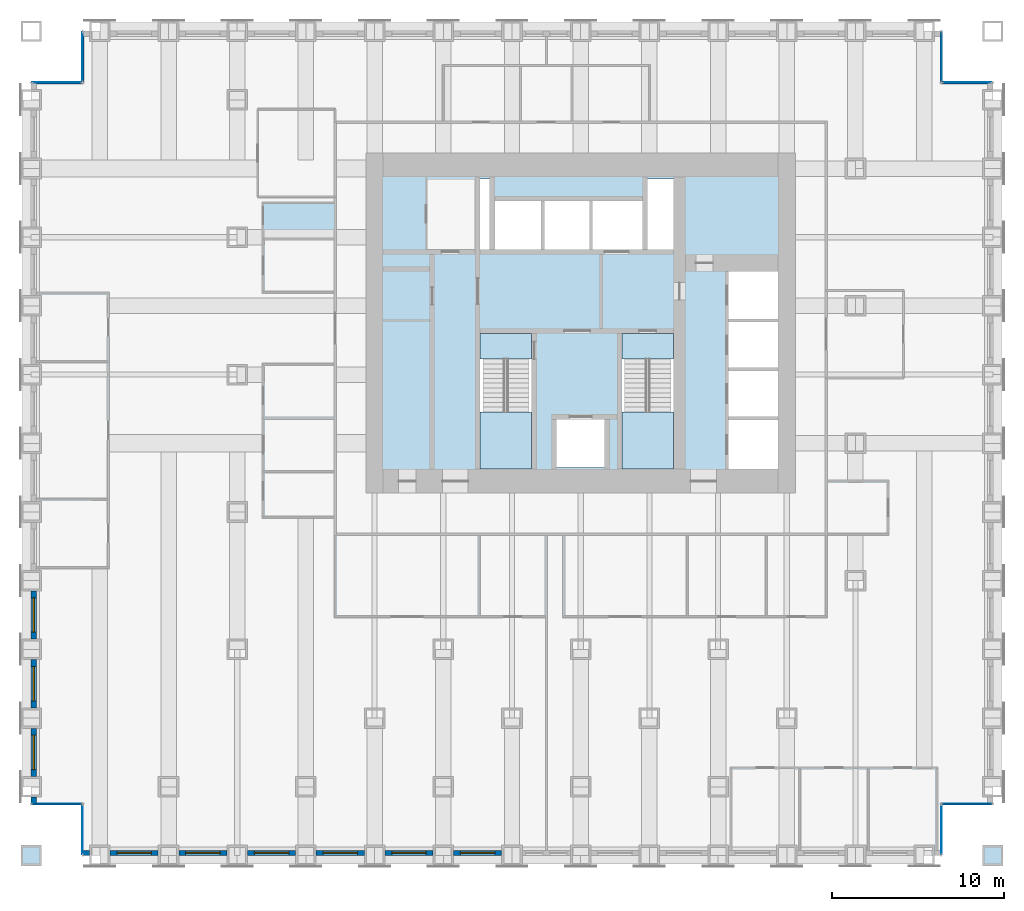
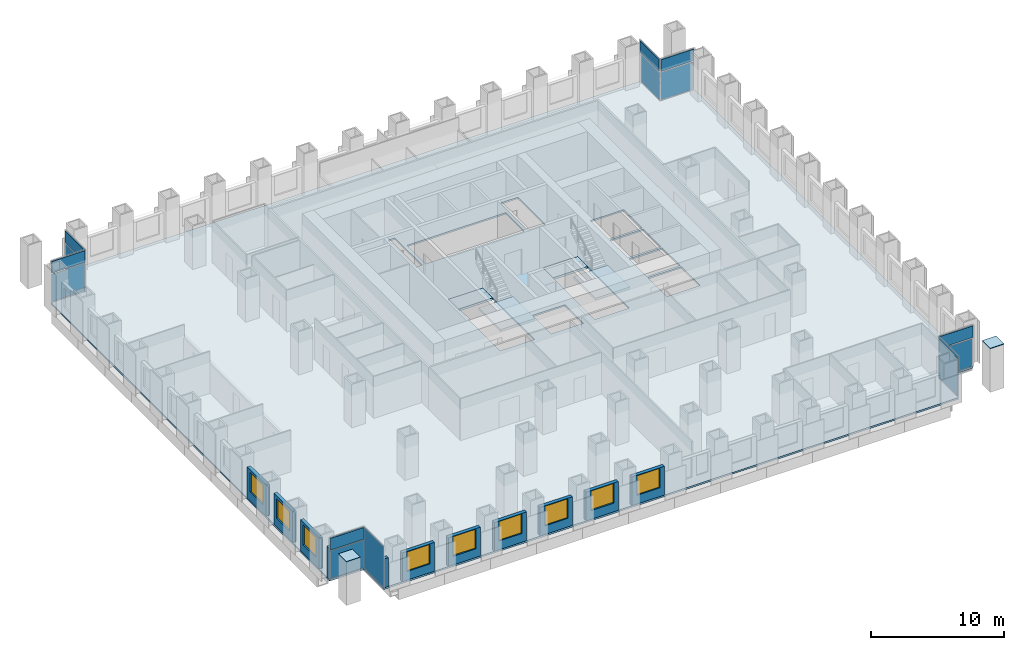
# One storey, part 8 of 15: 16 plates, 11 walls, 9 windows, 5 slabs, 9 openings, 16 elements without a shape of their own.
"""IFC4 building model written with IfcOpenShell, lengths in metres."""

from ifc_helpers import new_model, si_unit, direction, frame, frame_2d, origin, origin_2d, place, context, subcontext, project, spatial, polyline, rectangle, outline, extrude, material, layer, layer_set, type_object, element, fill, aggregate, save


model = new_model("IFC4")

# Units and contexts
model_context = context("Model", 3, precision=1e-05, world=origin(), true_north=direction((0.0, 1.0)))
body_context = subcontext(model_context, "Body", "Model", "MODEL_VIEW")
ifc_project = project(units=[si_unit("LENGTHUNIT", "METRE"), si_unit("AREAUNIT", "SQUARE_METRE"), si_unit("VOLUMEUNIT", "CUBIC_METRE"), si_unit("PLANEANGLEUNIT", "RADIAN"), si_unit("MASSUNIT", "GRAM", prefix="KILO")], contexts=[model_context])

# Site, building, storey
site_placement = place(None, origin())
site = spatial("IfcSite", under=ifc_project, at=site_placement, CompositionType="ELEMENT")
building_placement = place(site_placement, origin())
building = spatial("IfcBuilding", under=site, at=building_placement, Name="Rimbunsela Tower", CompositionType="ELEMENT")
storey_placement = place(building_placement, frame((0.0, 0.0, 39.0)))
storey = spatial("IfcBuildingStorey", under=building, at=storey_placement, Name="L09", CompositionType="ELEMENT", Elevation=39.0)

# Plates
ifc_material_1 = material(Name="Steel BJ 55 (fy 410 MPa)", Category="steel")
ifc_layer_1 = layer(ifc_material_1, 0.050048828125)
ifc_layer_set_1 = layer_set([ifc_layer_1], Name="End cap plate 50")
plate_type_1 = type_object("IfcPlateType", Name="End cap plate 50", PredefinedType="SHEET", material=ifc_layer_set_1)
for number, where, z_axis, x_axis, name in (
    (1, (-2.0, -4.0, 4.0), (0.0, 0.0, 1.0), (1.0, 0.0, 0.0), "End cap Column C6 2/A L09"),
    (2, (54.0, -4.0, 4.0), (0.0, 0.0, 1.0), (1.0, 0.0, 0.0), "End cap Column C6 16/A L09"),
):
    element("IfcPlate", number, at=place(storey_placement, frame(where, z_axis=z_axis, x_axis=x_axis)), inside=storey, type_object=plate_type_1, Name=name, PredefinedType="SHEET", context=body_context, shape_type="SweptSolid", body=[
        extrude(rectangle(XDim=1.199951171875, YDim=1.199951171875, at=origin_2d()), origin(), (0.0, 0.0, 1.0), 0.050048828125),
    ])

# Slab
ifc_material_2 = material(Name="Concrete fc' 35 MPa", Category="concrete")
ifc_layer_2 = layer(ifc_material_2, 0.14990234375)
ifc_layer_set_2 = layer_set([ifc_layer_2], Name="Floor slab 150")
slab_type_1 = type_object("IfcSlabType", Name="Floor slab 150", PredefinedType="FLOOR", material=ifc_layer_set_2)
slab_1_placement = place(storey_placement, frame((0.0, 0.0, -0.14990234375)))
element("IfcSlab", 3, at=slab_1_placement, inside=storey, type_object=slab_type_1, Name="Floor slab L09", PredefinedType="FLOOR", context=body_context, shape_type="SweptSolid", body=[
    extrude(outline(polyline([(1.0, -4.0), (51.0, -4.0), (51.0, -1.0), (54.0, -1.0), (54.0, 41.0), (51.0, 41.0), (51.0, 44.0), (1.0, 44.0), (1.0, 41.0), (-2.0, 41.0), (-2.0, -1.0), (1.0, -1.0), (1.0, -4.0)]), holes=[polyline([(27.14990234375, 18.60009765625), (27.14990234375, 26.39990234375), (24.14990234375, 26.39990234375), (24.14990234375, 18.60009765625), (27.14990234375, 18.60009765625)]), polyline([(24.699951171875, 31.300048828125), (24.699951171875, 35.39990234375), (24.14990234375, 35.39990234375), (24.14990234375, 31.300048828125), (24.699951171875, 31.300048828125)]), polyline([(25.0, 34.10009765625), (25.0, 31.300048828125), (33.60009765625, 31.300048828125), (33.60009765625, 34.10009765625), (25.0, 34.10009765625)]), polyline([(31.39990234375, 21.39990234375), (28.60009765625, 21.39990234375), (28.60009765625, 18.60009765625), (31.39990234375, 18.60009765625), (31.39990234375, 21.39990234375)]), polyline([(35.39990234375, 18.60009765625), (35.39990234375, 26.39990234375), (32.39990234375, 26.39990234375), (32.39990234375, 18.60009765625), (35.39990234375, 18.60009765625)]), polyline([(35.39990234375, 31.300048828125), (35.39990234375, 35.39990234375), (33.89990234375, 35.39990234375), (33.89990234375, 31.300048828125), (35.39990234375, 31.300048828125)]), polyline([(41.5, 21.35009765625), (38.60009765625, 21.35009765625), (38.60009765625, 18.5), (41.5, 18.5), (41.5, 21.35009765625)]), polyline([(41.5, 21.550048828125), (41.5, 24.199951171875), (38.60009765625, 24.199951171875), (38.60009765625, 21.550048828125), (41.5, 21.550048828125)]), polyline([(41.5, 27.050048828125), (38.60009765625, 27.050048828125), (38.60009765625, 24.39990234375), (41.5, 24.39990234375), (41.5, 27.050048828125)]), polyline([(41.5, 27.25), (41.5, 30.0), (38.60009765625, 30.0), (38.60009765625, 27.25), (41.5, 27.25)])]), origin(), (0.0, 0.0, 1.0), 0.14990234375),
])

# Curtain wall, plate
ifc_material_3 = material(Name="Aluminium curtain wall", Category="aluminium")
curtain_wall_type_1 = type_object("IfcCurtainWallType", Name="Corner glazing", PredefinedType="USERDEFINED", material=ifc_material_3)
curtain_wall_1_placement = place(storey_placement, origin())
curtain_wall_1 = element("IfcCurtainWall", 4, at=curtain_wall_1_placement, inside=storey, type_object=curtain_wall_type_1, Name="Corner glazing L09", ObjectType="CORNER GLAZING", PredefinedType="USERDEFINED")
ifc_material_4 = material(Name="Clear double glazing", Category="glass")
ifc_layer_3 = layer(ifc_material_4, 0.028076171875)
ifc_layer_set_3 = layer_set([ifc_layer_3], Name="Glazed panel clear")
plate_type_2 = type_object("IfcPlateType", Name="Glazed panel clear", PredefinedType="CURTAIN_PANEL", material=ifc_layer_set_3)
plate_1_placement = place(storey_placement, frame((51.0, -2.5, 0.06005859375), z_axis=(0.0, 0.0, 1.0), x_axis=(0.0, 1.0, 0.0)))
plate_1 = element("IfcPlate", 5, at=plate_1_placement, type_object=plate_type_2, Name="CW5 panel 1.1", PredefinedType="CURTAIN_PANEL", context=body_context, shape_type="SweptSolid", body=[
    extrude(rectangle(XDim=2.8798828125, YDim=0.028076171875, at=origin_2d()), origin(), (0.0, 0.0, 1.0), 3.72998046875),
])
aggregate(curtain_wall_1, [plate_1])

curtain_wall_2_placement = place(storey_placement, origin())
curtain_wall_2 = element("IfcCurtainWall", 6, at=curtain_wall_2_placement, inside=storey, type_object=curtain_wall_type_1, Name="Corner glazing L09", ObjectType="CORNER GLAZING", PredefinedType="USERDEFINED")
plate_2_placement = place(storey_placement, frame((52.5, -1.0, 0.06005859375), z_axis=(0.0, 0.0, 1.0), x_axis=(1.0, 0.0, 0.0)))
plate_2 = element("IfcPlate", 7, at=plate_2_placement, type_object=plate_type_2, Name="CW5 panel 1.1", PredefinedType="CURTAIN_PANEL", context=body_context, shape_type="SweptSolid", body=[
    extrude(rectangle(XDim=2.8798828125, YDim=0.028076171875, at=origin_2d()), origin(), (0.0, 0.0, 1.0), 2.530029296875),
])
aggregate(curtain_wall_2, [plate_2])

curtain_wall_3_placement = place(storey_placement, origin())
curtain_wall_3 = element("IfcCurtainWall", 8, at=curtain_wall_3_placement, inside=storey, type_object=curtain_wall_type_1, Name="Corner glazing L09", ObjectType="CORNER GLAZING", PredefinedType="USERDEFINED")
plate_3_placement = place(storey_placement, frame((52.5, 41.0, 0.06005859375), z_axis=(0.0, 0.0, 1.0), x_axis=(-1.0, 0.0, 0.0)))
plate_3 = element("IfcPlate", 9, at=plate_3_placement, type_object=plate_type_2, Name="CW5 panel 1.1", PredefinedType="CURTAIN_PANEL", context=body_context, shape_type="SweptSolid", body=[
    extrude(rectangle(XDim=2.8798828125, YDim=0.028076171875, at=origin_2d()), origin(), (0.0, 0.0, 1.0), 2.530029296875),
])
aggregate(curtain_wall_3, [plate_3])

curtain_wall_4_placement = place(storey_placement, origin())
curtain_wall_4 = element("IfcCurtainWall", 10, at=curtain_wall_4_placement, inside=storey, type_object=curtain_wall_type_1, Name="Corner glazing L09", ObjectType="CORNER GLAZING", PredefinedType="USERDEFINED")
plate_4_placement = place(storey_placement, frame((51.0, 42.5, 0.06005859375), z_axis=(0.0, 0.0, 1.0), x_axis=(0.0, 1.0, 0.0)))
plate_4 = element("IfcPlate", 11, at=plate_4_placement, type_object=plate_type_2, Name="CW5 panel 1.1", PredefinedType="CURTAIN_PANEL", context=body_context, shape_type="SweptSolid", body=[
    extrude(rectangle(XDim=2.8798828125, YDim=0.028076171875, at=origin_2d()), origin(), (0.0, 0.0, 1.0), 2.530029296875),
])
aggregate(curtain_wall_4, [plate_4])

curtain_wall_5_placement = place(storey_placement, origin())
curtain_wall_5 = element("IfcCurtainWall", 12, at=curtain_wall_5_placement, inside=storey, type_object=curtain_wall_type_1, Name="Corner glazing L09", ObjectType="CORNER GLAZING", PredefinedType="USERDEFINED")
plate_5_placement = place(storey_placement, frame((1.0, 42.5, 0.06005859375), z_axis=(0.0, 0.0, 1.0), x_axis=(0.0, -1.0, 0.0)))
plate_5 = element("IfcPlate", 13, at=plate_5_placement, type_object=plate_type_2, Name="CW5 panel 1.1", PredefinedType="CURTAIN_PANEL", context=body_context, shape_type="SweptSolid", body=[
    extrude(rectangle(XDim=2.8798828125, YDim=0.028076171875, at=origin_2d()), origin(), (0.0, 0.0, 1.0), 2.530029296875),
])
aggregate(curtain_wall_5, [plate_5])

curtain_wall_6_placement = place(storey_placement, origin())
curtain_wall_6 = element("IfcCurtainWall", 14, at=curtain_wall_6_placement, inside=storey, type_object=curtain_wall_type_1, Name="Corner glazing L09", ObjectType="CORNER GLAZING", PredefinedType="USERDEFINED")
plate_6_placement = place(storey_placement, frame((-0.5, 41.0, 0.06005859375), z_axis=(0.0, 0.0, 1.0), x_axis=(-1.0, 0.0, 0.0)))
plate_6 = element("IfcPlate", 15, at=plate_6_placement, type_object=plate_type_2, Name="CW5 panel 1.1", PredefinedType="CURTAIN_PANEL", context=body_context, shape_type="SweptSolid", body=[
    extrude(rectangle(XDim=2.8798828125, YDim=0.028076171875, at=origin_2d()), origin(), (0.0, 0.0, 1.0), 2.530029296875),
])
aggregate(curtain_wall_6, [plate_6])

curtain_wall_7_placement = place(storey_placement, origin())
curtain_wall_7 = element("IfcCurtainWall", 16, at=curtain_wall_7_placement, inside=storey, type_object=curtain_wall_type_1, Name="Corner glazing L09", ObjectType="CORNER GLAZING", PredefinedType="USERDEFINED")
plate_7_placement = place(storey_placement, frame((-0.5, -1.0, 0.06005859375), z_axis=(0.0, 0.0, 1.0), x_axis=(1.0, 0.0, 0.0)))
plate_7 = element("IfcPlate", 17, at=plate_7_placement, type_object=plate_type_2, Name="CW5 panel 1.1", PredefinedType="CURTAIN_PANEL", context=body_context, shape_type="SweptSolid", body=[
    extrude(rectangle(XDim=2.8798828125, YDim=0.028076171875, at=origin_2d()), origin(), (0.0, 0.0, 1.0), 2.530029296875),
])
aggregate(curtain_wall_7, [plate_7])

curtain_wall_8_placement = place(storey_placement, origin())
curtain_wall_8 = element("IfcCurtainWall", 18, at=curtain_wall_8_placement, inside=storey, type_object=curtain_wall_type_1, Name="Corner glazing L09", ObjectType="CORNER GLAZING", PredefinedType="USERDEFINED")
plate_8_placement = place(storey_placement, frame((1.0, -2.5, 0.06005859375), z_axis=(0.0, 0.0, 1.0), x_axis=(0.0, -1.0, 0.0)))
plate_8 = element("IfcPlate", 19, at=plate_8_placement, type_object=plate_type_2, Name="CW5 panel 1.1", PredefinedType="CURTAIN_PANEL", context=body_context, shape_type="SweptSolid", body=[
    extrude(rectangle(XDim=2.8798828125, YDim=0.028076171875, at=origin_2d()), origin(), (0.0, 0.0, 1.0), 3.72998046875),
])
aggregate(curtain_wall_8, [plate_8])

ifc_material_5 = material(Name="Aluminium curtain wall", Category="aluminium")
curtain_wall_type_2 = type_object("IfcCurtainWallType", Name="Spandrel wall", PredefinedType="USERDEFINED", material=ifc_material_5)
curtain_wall_9_placement = place(storey_placement, origin())
curtain_wall_9 = element("IfcCurtainWall", 20, at=curtain_wall_9_placement, inside=storey, type_object=curtain_wall_type_2, Name="Spandrel wall L09", ObjectType="SPANDREL WALL", PredefinedType="USERDEFINED")
ifc_material_6 = material(Name="Insulated aluminium spandrel panel", Category="aluminium")
ifc_layer_4 = layer(ifc_material_6, 0.10009765625)
ifc_layer_set_4 = layer_set([ifc_layer_4], Name="Insulated panel 100")
plate_type_3 = type_object("IfcPlateType", Name="Insulated panel 100", PredefinedType="CURTAIN_PANEL", material=ifc_layer_set_4)
plate_9_placement = place(storey_placement, frame((52.5, -1.0, 2.7099609375), z_axis=(0.0, 0.0, 1.0), x_axis=(1.0, 0.0, 0.0)))
plate_9 = element("IfcPlate", 21, at=plate_9_placement, type_object=plate_type_3, Name="CW7 panel 1.1", PredefinedType="CURTAIN_PANEL", context=body_context, shape_type="SweptSolid", body=[
    extrude(rectangle(XDim=2.8798828125, YDim=0.10009765625, at=origin_2d()), origin(), (0.0, 0.0, 1.0), 1.080078125),
])
aggregate(curtain_wall_9, [plate_9])

curtain_wall_10_placement = place(storey_placement, origin())
curtain_wall_10 = element("IfcCurtainWall", 22, at=curtain_wall_10_placement, inside=storey, type_object=curtain_wall_type_2, Name="Spandrel wall L09", ObjectType="SPANDREL WALL", PredefinedType="USERDEFINED")
plate_10_placement = place(storey_placement, frame((52.5, 41.0, 2.7099609375), z_axis=(0.0, 0.0, 1.0), x_axis=(-1.0, 0.0, 0.0)))
plate_10 = element("IfcPlate", 23, at=plate_10_placement, type_object=plate_type_3, Name="CW7 panel 1.1", PredefinedType="CURTAIN_PANEL", context=body_context, shape_type="SweptSolid", body=[
    extrude(rectangle(XDim=2.8798828125, YDim=0.10009765625, at=origin_2d()), origin(), (0.0, 0.0, 1.0), 1.080078125),
])
aggregate(curtain_wall_10, [plate_10])

curtain_wall_11_placement = place(storey_placement, origin())
curtain_wall_11 = element("IfcCurtainWall", 24, at=curtain_wall_11_placement, inside=storey, type_object=curtain_wall_type_2, Name="Spandrel wall L09", ObjectType="SPANDREL WALL", PredefinedType="USERDEFINED")
plate_11_placement = place(storey_placement, frame((51.0, 42.5, 2.7099609375), z_axis=(0.0, 0.0, 1.0), x_axis=(0.0, 1.0, 0.0)))
plate_11 = element("IfcPlate", 25, at=plate_11_placement, type_object=plate_type_3, Name="CW7 panel 1.1", PredefinedType="CURTAIN_PANEL", context=body_context, shape_type="SweptSolid", body=[
    extrude(rectangle(XDim=2.8798828125, YDim=0.10009765625, at=origin_2d()), origin(), (0.0, 0.0, 1.0), 1.080078125),
])
aggregate(curtain_wall_11, [plate_11])

curtain_wall_12_placement = place(storey_placement, origin())
curtain_wall_12 = element("IfcCurtainWall", 26, at=curtain_wall_12_placement, inside=storey, type_object=curtain_wall_type_2, Name="Spandrel wall L09", ObjectType="SPANDREL WALL", PredefinedType="USERDEFINED")
plate_12_placement = place(storey_placement, frame((1.0, 42.5, 2.7099609375), z_axis=(0.0, 0.0, 1.0), x_axis=(0.0, -1.0, 0.0)))
plate_12 = element("IfcPlate", 27, at=plate_12_placement, type_object=plate_type_3, Name="CW7 panel 1.1", PredefinedType="CURTAIN_PANEL", context=body_context, shape_type="SweptSolid", body=[
    extrude(rectangle(XDim=2.8798828125, YDim=0.10009765625, at=origin_2d()), origin(), (0.0, 0.0, 1.0), 1.080078125),
])
aggregate(curtain_wall_12, [plate_12])

curtain_wall_13_placement = place(storey_placement, origin())
curtain_wall_13 = element("IfcCurtainWall", 28, at=curtain_wall_13_placement, inside=storey, type_object=curtain_wall_type_2, Name="Spandrel wall L09", ObjectType="SPANDREL WALL", PredefinedType="USERDEFINED")
plate_13_placement = place(storey_placement, frame((-0.5, 41.0, 2.7099609375), z_axis=(0.0, 0.0, 1.0), x_axis=(-1.0, 0.0, 0.0)))
plate_13 = element("IfcPlate", 29, at=plate_13_placement, type_object=plate_type_3, Name="CW7 panel 1.1", PredefinedType="CURTAIN_PANEL", context=body_context, shape_type="SweptSolid", body=[
    extrude(rectangle(XDim=2.8798828125, YDim=0.10009765625, at=origin_2d()), origin(), (0.0, 0.0, 1.0), 1.080078125),
])
aggregate(curtain_wall_13, [plate_13])

curtain_wall_14_placement = place(storey_placement, origin())
curtain_wall_14 = element("IfcCurtainWall", 30, at=curtain_wall_14_placement, inside=storey, type_object=curtain_wall_type_2, Name="Spandrel wall L09", ObjectType="SPANDREL WALL", PredefinedType="USERDEFINED")
plate_14_placement = place(storey_placement, frame((-0.5, -1.0, 2.7099609375), z_axis=(0.0, 0.0, 1.0), x_axis=(1.0, 0.0, 0.0)))
plate_14 = element("IfcPlate", 31, at=plate_14_placement, type_object=plate_type_3, Name="CW7 panel 1.1", PredefinedType="CURTAIN_PANEL", context=body_context, shape_type="SweptSolid", body=[
    extrude(rectangle(XDim=2.8798828125, YDim=0.10009765625, at=origin_2d()), origin(), (0.0, 0.0, 1.0), 1.080078125),
])
aggregate(curtain_wall_14, [plate_14])

# Stair, slabs
ifc_material_7 = material(Name="Concrete fc' 35 MPa", Category="concrete")
stair_type = type_object("IfcStairType", Name="Exit stair 24 risers", PredefinedType="HALF_TURN_STAIR", material=ifc_material_7)
stair_1_placement = place(storey_placement, origin())
stair_1 = element("IfcStair", 32, at=stair_1_placement, inside=storey, type_object=stair_type, Name="Exit stair A L09", PredefinedType="HALF_TURN_STAIR")
ifc_material_8 = material(Name="Concrete fc' 35 MPa", Category="concrete")
ifc_layer_5 = layer(ifc_material_8, 0.199951171875)
ifc_layer_set_5 = layer_set([ifc_layer_5], Name="Stair landing 200")
slab_type_2 = type_object("IfcSlabType", Name="Stair landing 200", PredefinedType="LANDING", material=ifc_layer_set_5)
slab_2_placement = place(storey_placement, frame((0.0, 0.0, -0.199951171875)))
slab_2 = element("IfcSlab", 33, at=slab_2_placement, type_object=slab_type_2, Name="ST-A landing 1", PredefinedType="LANDING", context=body_context, shape_type="SweptSolid", body=[
    extrude(outline(polyline([(24.14990234375, 24.89990234375), (27.14990234375, 24.89990234375), (27.14990234375, 26.39990234375), (24.14990234375, 26.39990234375), (24.14990234375, 24.89990234375)])), origin(), (0.0, 0.0, 1.0), 0.199951171875),
])
slab_3_placement = place(storey_placement, frame((0.0, 0.0, 1.800048828125)))
slab_3 = element("IfcSlab", 34, at=slab_3_placement, type_object=slab_type_2, Name="ST-A landing 2", PredefinedType="LANDING", context=body_context, shape_type="SweptSolid", body=[
    extrude(outline(polyline([(24.14990234375, 18.5), (27.14990234375, 18.5), (27.14990234375, 21.820068359375), (24.14990234375, 21.820068359375), (24.14990234375, 18.5)])), origin(), (0.0, 0.0, 1.0), 0.199951171875),
])
aggregate(stair_1, [slab_2, slab_3])

stair_2_placement = place(storey_placement, origin())
stair_2 = element("IfcStair", 35, at=stair_2_placement, inside=storey, type_object=stair_type, Name="Exit stair B L09", PredefinedType="HALF_TURN_STAIR")
slab_4_placement = place(storey_placement, frame((0.0, 0.0, -0.199951171875)))
slab_4 = element("IfcSlab", 36, at=slab_4_placement, type_object=slab_type_2, Name="ST-B landing 1", PredefinedType="LANDING", context=body_context, shape_type="SweptSolid", body=[
    extrude(outline(polyline([(32.39990234375, 24.89990234375), (35.39990234375, 24.89990234375), (35.39990234375, 26.39990234375), (32.39990234375, 26.39990234375), (32.39990234375, 24.89990234375)])), origin(), (0.0, 0.0, 1.0), 0.199951171875),
])
slab_5_placement = place(storey_placement, frame((0.0, 0.0, 1.800048828125)))
slab_5 = element("IfcSlab", 37, at=slab_5_placement, type_object=slab_type_2, Name="ST-B landing 2", PredefinedType="LANDING", context=body_context, shape_type="SweptSolid", body=[
    extrude(outline(polyline([(32.39990234375, 18.5), (35.39990234375, 18.5), (35.39990234375, 21.820068359375), (32.39990234375, 21.820068359375), (32.39990234375, 18.5)])), origin(), (0.0, 0.0, 1.0), 0.199951171875),
])
aggregate(stair_2, [slab_4, slab_5])

# Wall
ifc_material_9 = material(Name="Precast concrete fc' 35 MPa", Category="concrete")
ifc_layer_6 = layer(ifc_material_9, 0.300048828125)
ifc_layer_set_6 = layer_set([ifc_layer_6], Name="Precast concrete fc' 35 MPa")
wall_type = type_object("IfcWallType", Name="Precast facade panel 300", PredefinedType="ELEMENTEDWALL", material=ifc_layer_set_6)
wall_1_placement = place(storey_placement, frame((1.030029296875, -3.85009765625, 0.0), z_axis=(0.0, 0.0, 1.0), x_axis=(1.0, 0.0, 0.0)))
element("IfcWall", 38, at=wall_1_placement, inside=storey, type_object=wall_type, Name="Facade panel S L09", PredefinedType="ELEMENTEDWALL", context=body_context, shape_type="SweptSolid", body=[
    extrude(rectangle(XDim=0.369873046875, YDim=0.300048828125, at=frame_2d((0.18505859375, 0.0))), origin(), (0.0, 0.0, 1.0), 2.64990234375),
])

# Wall, opening, window
wall_2_placement = place(storey_placement, frame((2.60009765625, -3.85009765625, 0.0), z_axis=(0.0, 0.0, 1.0), x_axis=(1.0, 0.0, 0.0)))
wall_2 = element("IfcWall", 39, at=wall_2_placement, inside=storey, type_object=wall_type, Name="Facade panel S L09", PredefinedType="ELEMENTEDWALL", context=body_context, shape_type="SweptSolid", body=[
    extrude(rectangle(XDim=2.7998046875, YDim=0.300048828125, at=frame_2d((1.39990234375, 0.0))), origin(), (0.0, 0.0, 1.0), 2.64990234375),
])
opening_1_placement = place(wall_2_placement, frame((0.39990234375, 0.0, 0.800048828125)))
opening_1 = element("IfcOpeningElement", 40, at=opening_1_placement, cuts=wall_2, Name="Opening W7", PredefinedType="OPENING", context=body_context, shape_type="SweptSolid", body=[
    extrude(rectangle(XDim=2.0, YDim=1.800048828125, at=frame_2d((1.0, 0.89990234375))), frame((0.0, 0.159912109375, 0.0), z_axis=(0.0, -1.0, 0.0), x_axis=(1.0, 0.0, 0.0)), (0.0, 0.0, 1.0), 0.320068359375),
])
ifc_material_10 = material(Name="Clear glass in aluminium frame", Category="aluminium")
window_type = type_object("IfcWindowType", Name="Window W7 2000x1800", PartitioningType="DOUBLE_PANEL_VERTICAL", PredefinedType="WINDOW", material=ifc_material_10)
window_1_placement = place(opening_1_placement, origin())
window_1 = element("IfcWindow", 41, at=window_1_placement, inside=storey, type_object=window_type, Name="Window L09", OverallHeight=1.800048828125, OverallWidth=2.0, PartitioningType="SINGLE_PANEL", PredefinedType="WINDOW", context=body_context, shape_type="SweptSolid", body=[
    extrude(rectangle(XDim=2.0, YDim=1.800048828125, at=frame_2d((1.0, 0.89990234375))), frame((0.0, 0.030029296875, 0.0), z_axis=(0.0, -1.0, 0.0), x_axis=(1.0, 0.0, 0.0)), (0.0, 0.0, 1.0), 0.06005859375),
])
fill(opening_1, window_1)

wall_3_placement = place(storey_placement, frame((6.60009765625, -3.85009765625, 0.0), z_axis=(0.0, 0.0, 1.0), x_axis=(1.0, 0.0, 0.0)))
wall_3 = element("IfcWall", 42, at=wall_3_placement, inside=storey, type_object=wall_type, Name="Facade panel S L09", PredefinedType="ELEMENTEDWALL", context=body_context, shape_type="SweptSolid", body=[
    extrude(rectangle(XDim=2.7998046875, YDim=0.300048828125, at=frame_2d((1.39990234375, 0.0))), origin(), (0.0, 0.0, 1.0), 2.64990234375),
])
opening_2_placement = place(wall_3_placement, frame((0.39990234375, 0.0, 0.800048828125)))
opening_2 = element("IfcOpeningElement", 43, at=opening_2_placement, cuts=wall_3, Name="Opening W7", PredefinedType="OPENING", context=body_context, shape_type="SweptSolid", body=[
    extrude(rectangle(XDim=2.0, YDim=1.800048828125, at=frame_2d((1.0, 0.89990234375))), frame((0.0, 0.159912109375, 0.0), z_axis=(0.0, -1.0, 0.0), x_axis=(1.0, 0.0, 0.0)), (0.0, 0.0, 1.0), 0.320068359375),
])
window_2_placement = place(opening_2_placement, origin())
window_2 = element("IfcWindow", 44, at=window_2_placement, inside=storey, type_object=window_type, Name="Window L09", OverallHeight=1.800048828125, OverallWidth=2.0, PartitioningType="SINGLE_PANEL", PredefinedType="WINDOW", context=body_context, shape_type="SweptSolid", body=[
    extrude(rectangle(XDim=2.0, YDim=1.800048828125, at=frame_2d((1.0, 0.89990234375))), frame((0.0, 0.030029296875, 0.0), z_axis=(0.0, -1.0, 0.0), x_axis=(1.0, 0.0, 0.0)), (0.0, 0.0, 1.0), 0.06005859375),
])
fill(opening_2, window_2)

wall_4_placement = place(storey_placement, frame((10.60009765625, -3.85009765625, 0.0), z_axis=(0.0, 0.0, 1.0), x_axis=(1.0, 0.0, 0.0)))
wall_4 = element("IfcWall", 45, at=wall_4_placement, inside=storey, type_object=wall_type, Name="Facade panel S L09", PredefinedType="ELEMENTEDWALL", context=body_context, shape_type="SweptSolid", body=[
    extrude(rectangle(XDim=2.7998046875, YDim=0.300048828125, at=frame_2d((1.39990234375, 0.0))), origin(), (0.0, 0.0, 1.0), 2.64990234375),
])
opening_3_placement = place(wall_4_placement, frame((0.39990234375, 0.0, 0.800048828125)))
opening_3 = element("IfcOpeningElement", 46, at=opening_3_placement, cuts=wall_4, Name="Opening W7", PredefinedType="OPENING", context=body_context, shape_type="SweptSolid", body=[
    extrude(rectangle(XDim=2.0, YDim=1.800048828125, at=frame_2d((1.0, 0.89990234375))), frame((0.0, 0.159912109375, 0.0), z_axis=(0.0, -1.0, 0.0), x_axis=(1.0, 0.0, 0.0)), (0.0, 0.0, 1.0), 0.320068359375),
])
window_3_placement = place(opening_3_placement, origin())
window_3 = element("IfcWindow", 47, at=window_3_placement, inside=storey, type_object=window_type, Name="Window L09", OverallHeight=1.800048828125, OverallWidth=2.0, PartitioningType="SINGLE_PANEL", PredefinedType="WINDOW", context=body_context, shape_type="SweptSolid", body=[
    extrude(rectangle(XDim=2.0, YDim=1.800048828125, at=frame_2d((1.0, 0.89990234375))), frame((0.0, 0.030029296875, 0.0), z_axis=(0.0, -1.0, 0.0), x_axis=(1.0, 0.0, 0.0)), (0.0, 0.0, 1.0), 0.06005859375),
])
fill(opening_3, window_3)

wall_5_placement = place(storey_placement, frame((14.60009765625, -3.85009765625, 0.0), z_axis=(0.0, 0.0, 1.0), x_axis=(1.0, 0.0, 0.0)))
wall_5 = element("IfcWall", 48, at=wall_5_placement, inside=storey, type_object=wall_type, Name="Facade panel S L09", PredefinedType="ELEMENTEDWALL", context=body_context, shape_type="SweptSolid", body=[
    extrude(rectangle(XDim=2.7998046875, YDim=0.300048828125, at=frame_2d((1.39990234375, 0.0))), origin(), (0.0, 0.0, 1.0), 2.64990234375),
])
opening_4_placement = place(wall_5_placement, frame((0.39990234375, 0.0, 0.800048828125)))
opening_4 = element("IfcOpeningElement", 49, at=opening_4_placement, cuts=wall_5, Name="Opening W7", PredefinedType="OPENING", context=body_context, shape_type="SweptSolid", body=[
    extrude(rectangle(XDim=2.0, YDim=1.800048828125, at=frame_2d((1.0, 0.89990234375))), frame((0.0, 0.159912109375, 0.0), z_axis=(0.0, -1.0, 0.0), x_axis=(1.0, 0.0, 0.0)), (0.0, 0.0, 1.0), 0.320068359375),
])
window_4_placement = place(opening_4_placement, origin())
window_4 = element("IfcWindow", 50, at=window_4_placement, inside=storey, type_object=window_type, Name="Window L09", OverallHeight=1.800048828125, OverallWidth=2.0, PartitioningType="SINGLE_PANEL", PredefinedType="WINDOW", context=body_context, shape_type="SweptSolid", body=[
    extrude(rectangle(XDim=2.0, YDim=1.800048828125, at=frame_2d((1.0, 0.89990234375))), frame((0.0, 0.030029296875, 0.0), z_axis=(0.0, -1.0, 0.0), x_axis=(1.0, 0.0, 0.0)), (0.0, 0.0, 1.0), 0.06005859375),
])
fill(opening_4, window_4)

wall_6_placement = place(storey_placement, frame((18.60009765625, -3.85009765625, 0.0), z_axis=(0.0, 0.0, 1.0), x_axis=(1.0, 0.0, 0.0)))
wall_6 = element("IfcWall", 51, at=wall_6_placement, inside=storey, type_object=wall_type, Name="Facade panel S L09", PredefinedType="ELEMENTEDWALL", context=body_context, shape_type="SweptSolid", body=[
    extrude(rectangle(XDim=2.7998046875, YDim=0.300048828125, at=frame_2d((1.39990234375, 0.0))), origin(), (0.0, 0.0, 1.0), 2.64990234375),
])
opening_5_placement = place(wall_6_placement, frame((0.39990234375, 0.0, 0.800048828125)))
opening_5 = element("IfcOpeningElement", 52, at=opening_5_placement, cuts=wall_6, Name="Opening W7", PredefinedType="OPENING", context=body_context, shape_type="SweptSolid", body=[
    extrude(rectangle(XDim=2.0, YDim=1.800048828125, at=frame_2d((1.0, 0.89990234375))), frame((0.0, 0.159912109375, 0.0), z_axis=(0.0, -1.0, 0.0), x_axis=(1.0, 0.0, 0.0)), (0.0, 0.0, 1.0), 0.320068359375),
])
window_5_placement = place(opening_5_placement, origin())
window_5 = element("IfcWindow", 53, at=window_5_placement, inside=storey, type_object=window_type, Name="Window L09", OverallHeight=1.800048828125, OverallWidth=2.0, PartitioningType="SINGLE_PANEL", PredefinedType="WINDOW", context=body_context, shape_type="SweptSolid", body=[
    extrude(rectangle(XDim=2.0, YDim=1.800048828125, at=frame_2d((1.0, 0.89990234375))), frame((0.0, 0.030029296875, 0.0), z_axis=(0.0, -1.0, 0.0), x_axis=(1.0, 0.0, 0.0)), (0.0, 0.0, 1.0), 0.06005859375),
])
fill(opening_5, window_5)

wall_7_placement = place(storey_placement, frame((22.60009765625, -3.85009765625, 0.0), z_axis=(0.0, 0.0, 1.0), x_axis=(1.0, 0.0, 0.0)))
wall_7 = element("IfcWall", 54, at=wall_7_placement, inside=storey, type_object=wall_type, Name="Facade panel S L09", PredefinedType="ELEMENTEDWALL", context=body_context, shape_type="SweptSolid", body=[
    extrude(rectangle(XDim=2.7998046875, YDim=0.300048828125, at=frame_2d((1.39990234375, 0.0))), origin(), (0.0, 0.0, 1.0), 2.64990234375),
])
opening_6_placement = place(wall_7_placement, frame((0.39990234375, 0.0, 0.800048828125)))
opening_6 = element("IfcOpeningElement", 55, at=opening_6_placement, cuts=wall_7, Name="Opening W7", PredefinedType="OPENING", context=body_context, shape_type="SweptSolid", body=[
    extrude(rectangle(XDim=2.0, YDim=1.800048828125, at=frame_2d((1.0, 0.89990234375))), frame((0.0, 0.159912109375, 0.0), z_axis=(0.0, -1.0, 0.0), x_axis=(1.0, 0.0, 0.0)), (0.0, 0.0, 1.0), 0.320068359375),
])
window_6_placement = place(opening_6_placement, origin())
window_6 = element("IfcWindow", 56, at=window_6_placement, inside=storey, type_object=window_type, Name="Window L09", OverallHeight=1.800048828125, OverallWidth=2.0, PartitioningType="SINGLE_PANEL", PredefinedType="WINDOW", context=body_context, shape_type="SweptSolid", body=[
    extrude(rectangle(XDim=2.0, YDim=1.800048828125, at=frame_2d((1.0, 0.89990234375))), frame((0.0, 0.030029296875, 0.0), z_axis=(0.0, -1.0, 0.0), x_axis=(1.0, 0.0, 0.0)), (0.0, 0.0, 1.0), 0.06005859375),
])
fill(opening_6, window_6)

# Wall
wall_8_placement = place(storey_placement, frame((-1.85009765625, -0.60009765625, 0.0), z_axis=(0.0, 0.0, 1.0), x_axis=(0.0, -1.0, 0.0)))
element("IfcWall", 57, at=wall_8_placement, inside=storey, type_object=wall_type, Name="Facade panel W L09", PredefinedType="ELEMENTEDWALL", context=body_context, shape_type="SweptSolid", body=[
    extrude(rectangle(XDim=0.369873046875, YDim=0.300048828125, at=frame_2d((0.18505859375, 0.0))), origin(), (0.0, 0.0, 1.0), 2.85009765625),
])

# Wall, opening, window
wall_9_placement = place(storey_placement, frame((-1.85009765625, 3.39990234375, 0.0), z_axis=(0.0, 0.0, 1.0), x_axis=(0.0, -1.0, 0.0)))
wall_9 = element("IfcWall", 58, at=wall_9_placement, inside=storey, type_object=wall_type, Name="Facade panel W L09", PredefinedType="ELEMENTEDWALL", context=body_context, shape_type="SweptSolid", body=[
    extrude(rectangle(XDim=2.7998046875, YDim=0.300048828125, at=frame_2d((1.39990234375, 0.0))), origin(), (0.0, 0.0, 1.0), 2.85009765625),
])
opening_7_placement = place(wall_9_placement, frame((0.39990234375, 0.0, 0.800048828125)))
opening_7 = element("IfcOpeningElement", 59, at=opening_7_placement, cuts=wall_9, Name="Opening W7", PredefinedType="OPENING", context=body_context, shape_type="SweptSolid", body=[
    extrude(rectangle(XDim=2.0, YDim=1.800048828125, at=frame_2d((1.0, 0.89990234375))), frame((0.0, 0.159912109375, 0.0), z_axis=(0.0, -1.0, 0.0), x_axis=(1.0, 0.0, 0.0)), (0.0, 0.0, 1.0), 0.320068359375),
])
window_7_placement = place(opening_7_placement, origin())
window_7 = element("IfcWindow", 60, at=window_7_placement, inside=storey, type_object=window_type, Name="Window L09", OverallHeight=1.800048828125, OverallWidth=2.0, PartitioningType="SINGLE_PANEL", PredefinedType="WINDOW", context=body_context, shape_type="SweptSolid", body=[
    extrude(rectangle(XDim=2.0, YDim=1.800048828125, at=frame_2d((1.0, 0.89990234375))), frame((0.0, 0.030029296875, 0.0), z_axis=(0.0, -1.0, 0.0), x_axis=(1.0, 0.0, 0.0)), (0.0, 0.0, 1.0), 0.06005859375),
])
fill(opening_7, window_7)

wall_10_placement = place(storey_placement, frame((-1.85009765625, 7.39990234375, 0.0), z_axis=(0.0, 0.0, 1.0), x_axis=(0.0, -1.0, 0.0)))
wall_10 = element("IfcWall", 61, at=wall_10_placement, inside=storey, type_object=wall_type, Name="Facade panel W L09", PredefinedType="ELEMENTEDWALL", context=body_context, shape_type="SweptSolid", body=[
    extrude(rectangle(XDim=2.7998046875, YDim=0.300048828125, at=frame_2d((1.39990234375, 0.0))), origin(), (0.0, 0.0, 1.0), 2.85009765625),
])
opening_8_placement = place(wall_10_placement, frame((0.39990234375, 0.0, 0.800048828125)))
opening_8 = element("IfcOpeningElement", 62, at=opening_8_placement, cuts=wall_10, Name="Opening W7", PredefinedType="OPENING", context=body_context, shape_type="SweptSolid", body=[
    extrude(rectangle(XDim=2.0, YDim=1.800048828125, at=frame_2d((1.0, 0.89990234375))), frame((0.0, 0.159912109375, 0.0), z_axis=(0.0, -1.0, 0.0), x_axis=(1.0, 0.0, 0.0)), (0.0, 0.0, 1.0), 0.320068359375),
])
window_8_placement = place(opening_8_placement, origin())
window_8 = element("IfcWindow", 63, at=window_8_placement, inside=storey, type_object=window_type, Name="Window L09", OverallHeight=1.800048828125, OverallWidth=2.0, PartitioningType="SINGLE_PANEL", PredefinedType="WINDOW", context=body_context, shape_type="SweptSolid", body=[
    extrude(rectangle(XDim=2.0, YDim=1.800048828125, at=frame_2d((1.0, 0.89990234375))), frame((0.0, 0.030029296875, 0.0), z_axis=(0.0, -1.0, 0.0), x_axis=(1.0, 0.0, 0.0)), (0.0, 0.0, 1.0), 0.06005859375),
])
fill(opening_8, window_8)

wall_11_placement = place(storey_placement, frame((-1.85009765625, 11.39990234375, 0.0), z_axis=(0.0, 0.0, 1.0), x_axis=(0.0, -1.0, 0.0)))
wall_11 = element("IfcWall", 64, at=wall_11_placement, inside=storey, type_object=wall_type, Name="Facade panel W L09", PredefinedType="ELEMENTEDWALL", context=body_context, shape_type="SweptSolid", body=[
    extrude(rectangle(XDim=2.7998046875, YDim=0.300048828125, at=frame_2d((1.39990234375, 0.0))), origin(), (0.0, 0.0, 1.0), 2.85009765625),
])
opening_9_placement = place(wall_11_placement, frame((0.39990234375, 0.0, 0.800048828125)))
opening_9 = element("IfcOpeningElement", 65, at=opening_9_placement, cuts=wall_11, Name="Opening W7", PredefinedType="OPENING", context=body_context, shape_type="SweptSolid", body=[
    extrude(rectangle(XDim=2.0, YDim=1.800048828125, at=frame_2d((1.0, 0.89990234375))), frame((0.0, 0.159912109375, 0.0), z_axis=(0.0, -1.0, 0.0), x_axis=(1.0, 0.0, 0.0)), (0.0, 0.0, 1.0), 0.320068359375),
])
window_9_placement = place(opening_9_placement, origin())
window_9 = element("IfcWindow", 66, at=window_9_placement, inside=storey, type_object=window_type, Name="Window L09", OverallHeight=1.800048828125, OverallWidth=2.0, PartitioningType="SINGLE_PANEL", PredefinedType="WINDOW", context=body_context, shape_type="SweptSolid", body=[
    extrude(rectangle(XDim=2.0, YDim=1.800048828125, at=frame_2d((1.0, 0.89990234375))), frame((0.0, 0.030029296875, 0.0), z_axis=(0.0, -1.0, 0.0), x_axis=(1.0, 0.0, 0.0)), (0.0, 0.0, 1.0), 0.06005859375),
])
fill(opening_9, window_9)

save(model, "model.ifc")
